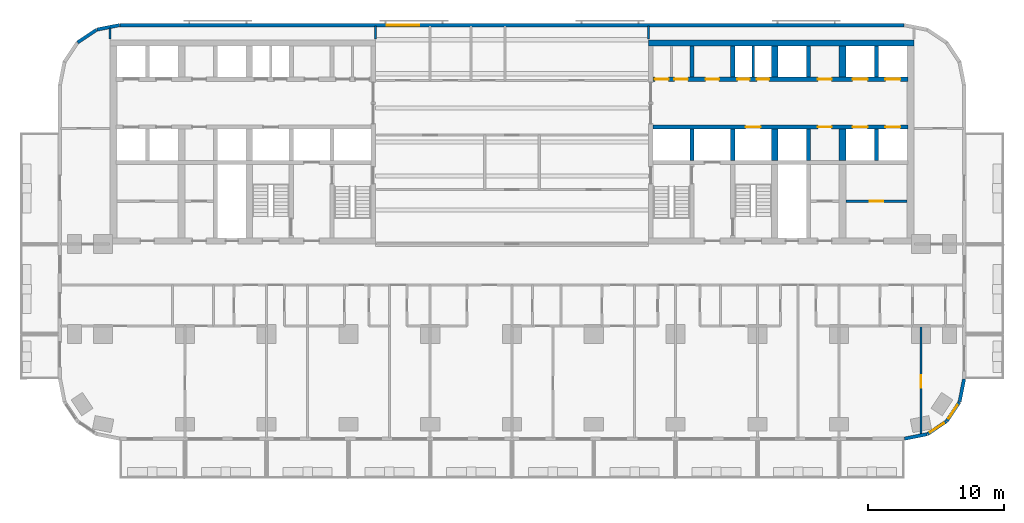
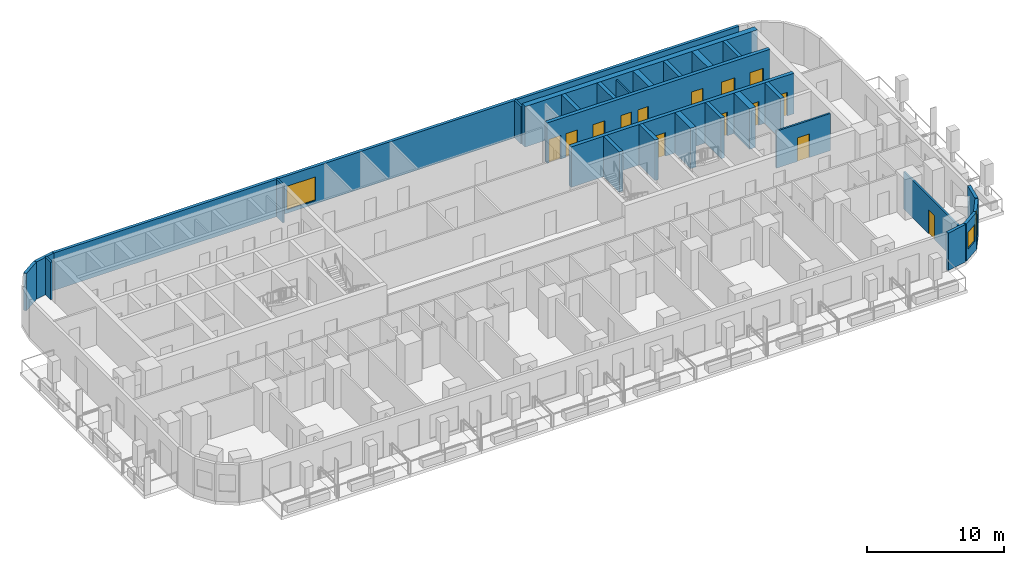
# One storey, part 8 of 15: 28 walls, 14 doors, 3 windows, 17 openings.
"""IFC4 building model written with IfcOpenShell, lengths in metres."""

from ifc_helpers import new_model, si_unit, direction, frame, frame_2d, origin, place, context, subcontext, project, spatial, rectangle, extrude, material, layer, layer_set, type_object, element, fill, save


model = new_model("IFC4")

# Units and contexts
model_context = context("Model", 3, precision=1e-05, world=origin(), true_north=direction((0.0, 1.0)))
body_context = subcontext(model_context, "Body", "Model", "MODEL_VIEW")
ifc_project = project(units=[si_unit("LENGTHUNIT", "METRE"), si_unit("AREAUNIT", "SQUARE_METRE"), si_unit("VOLUMEUNIT", "CUBIC_METRE"), si_unit("PLANEANGLEUNIT", "RADIAN"), si_unit("MASSUNIT", "GRAM", prefix="KILO")], contexts=[model_context])

# Site, building, storey
site_placement = place(None, origin())
site = spatial("IfcSite", under=ifc_project, at=site_placement, CompositionType="ELEMENT")
building_placement = place(site_placement, origin())
building = spatial("IfcBuilding", under=site, at=building_placement, Name="Torana Hotel and Residences", CompositionType="ELEMENT")
storey_placement = place(building_placement, frame((0.0, 0.0, 67.199951171875)))
storey = spatial("IfcBuildingStorey", under=building, at=storey_placement, Name="L16", CompositionType="ELEMENT", Elevation=67.199951171875)

# Wall, openings, doors
ifc_material_1 = material(Name="Concrete C80/95", Category="concrete")
ifc_layer_1 = layer(ifc_material_1, 0.300048828125)
ifc_layer_set_1 = layer_set([ifc_layer_1], Name="CORE WALL 300 C80/95")
wall_type_1 = type_object("IfcWallType", Name="CORE WALL 300 C80/95", PredefinedType="SHEAR", material=ifc_layer_set_1)
wall_1_placement = place(storey_placement, frame((10.35009765625, -2.89990234375, 0.0), z_axis=(0.0, 0.0, 1.0), x_axis=(1.0, 0.0, 0.0)))
wall_1 = element("IfcWall", 1, at=wall_1_placement, inside=storey, type_object=wall_type_1, Name="Core wall E row-N", PredefinedType="SHEAR", context=body_context, shape_type="SweptSolid", body=[
    extrude(rectangle(XDim=18.699951171875, YDim=0.300048828125, at=frame_2d((9.35009765625, 0.0))), origin(), (0.0, 0.0, 1.0), 3.60009765625),
])
opening_1_placement = place(wall_1_placement, frame((14.64990234375, 0.0, 0.0)))
opening_1 = element("IfcOpeningElement", 2, at=opening_1_placement, cuts=wall_1, Name="Opening LD", PredefinedType="OPENING", context=body_context, shape_type="SweptSolid", body=[
    extrude(rectangle(XDim=1.10009765625, YDim=2.10009765625, at=frame_2d((0.550048828125, 1.050048828125))), frame((0.0, 0.159912109375, 0.0), z_axis=(0.0, -1.0, 0.0), x_axis=(1.0, 0.0, 0.0)), (0.0, 0.0, 1.0), 0.320068359375),
])
opening_2_placement = place(wall_1_placement, frame((17.050048828125, 0.0, 0.0)))
opening_2 = element("IfcOpeningElement", 3, at=opening_2_placement, cuts=wall_1, Name="Opening LD", PredefinedType="OPENING", context=body_context, shape_type="SweptSolid", body=[
    extrude(rectangle(XDim=1.10009765625, YDim=2.10009765625, at=frame_2d((0.550048828125, 1.050048828125))), frame((0.0, 0.159912109375, 0.0), z_axis=(0.0, -1.0, 0.0), x_axis=(1.0, 0.0, 0.0)), (0.0, 0.0, 1.0), 0.320068359375),
])
opening_3_placement = place(wall_1_placement, frame((6.1875, 0.0, 0.0)))
opening_3 = element("IfcOpeningElement", 4, at=opening_3_placement, cuts=wall_1, Name="Opening L16-26", PredefinedType="OPENING", context=body_context, shape_type="SweptSolid", body=[
    extrude(rectangle(XDim=0.89990234375, YDim=2.10009765625, at=frame_2d((0.449951171875, 1.050048828125))), frame((0.0, 0.159912109375, 0.0), z_axis=(0.0, -1.0, 0.0), x_axis=(1.0, 0.0, 0.0)), (0.0, 0.0, 1.0), 0.320068359375),
])
opening_4_placement = place(wall_1_placement, frame((7.612548828125, 0.0, 0.0)))
opening_4 = element("IfcOpeningElement", 5, at=opening_4_placement, cuts=wall_1, Name="Opening L16-27", PredefinedType="OPENING", context=body_context, shape_type="SweptSolid", body=[
    extrude(rectangle(XDim=0.89990234375, YDim=2.10009765625, at=frame_2d((0.449951171875, 1.050048828125))), frame((0.0, 0.159912109375, 0.0), z_axis=(0.0, -1.0, 0.0), x_axis=(1.0, 0.0, 0.0)), (0.0, 0.0, 1.0), 0.320068359375),
])
opening_5_placement = place(wall_1_placement, frame((0.137451171875, 0.0, 0.0)))
opening_5 = element("IfcOpeningElement", 6, at=opening_5_placement, cuts=wall_1, Name="Opening L16-28", PredefinedType="OPENING", context=body_context, shape_type="SweptSolid", body=[
    extrude(rectangle(XDim=1.0, YDim=2.10009765625, at=frame_2d((0.5, 1.050048828125))), frame((0.0, 0.159912109375, 0.0), z_axis=(0.0, -1.0, 0.0), x_axis=(1.0, 0.0, 0.0)), (0.0, 0.0, 1.0), 0.320068359375),
])
opening_6_placement = place(wall_1_placement, frame((1.5625, 0.0, 0.0)))
opening_6 = element("IfcOpeningElement", 7, at=opening_6_placement, cuts=wall_1, Name="Opening L16-29", PredefinedType="OPENING", context=body_context, shape_type="SweptSolid", body=[
    extrude(rectangle(XDim=1.0, YDim=2.10009765625, at=frame_2d((0.5, 1.050048828125))), frame((0.0, 0.159912109375, 0.0), z_axis=(0.0, -1.0, 0.0), x_axis=(1.0, 0.0, 0.0)), (0.0, 0.0, 1.0), 0.320068359375),
])
opening_7_placement = place(wall_1_placement, frame((3.85009765625, 0.0, 0.0)))
opening_7 = element("IfcOpeningElement", 8, at=opening_7_placement, cuts=wall_1, Name="Opening L16-30", PredefinedType="OPENING", context=body_context, shape_type="SweptSolid", body=[
    extrude(rectangle(XDim=1.0, YDim=2.10009765625, at=frame_2d((0.5, 1.050048828125))), frame((0.0, 0.159912109375, 0.0), z_axis=(0.0, -1.0, 0.0), x_axis=(1.0, 0.0, 0.0)), (0.0, 0.0, 1.0), 0.320068359375),
])
opening_8_placement = place(wall_1_placement, frame((12.10009765625, 0.0, 0.0)))
opening_8 = element("IfcOpeningElement", 9, at=opening_8_placement, cuts=wall_1, Name="Opening L16-31", PredefinedType="OPENING", context=body_context, shape_type="SweptSolid", body=[
    extrude(rectangle(XDim=1.0, YDim=2.10009765625, at=frame_2d((0.5, 1.050048828125))), frame((0.0, 0.159912109375, 0.0), z_axis=(0.0, -1.0, 0.0), x_axis=(1.0, 0.0, 0.0)), (0.0, 0.0, 1.0), 0.320068359375),
])
ifc_material_2 = material(Name="Steel S235", Category="steel")
door_type_1 = type_object("IfcDoorType", Name="CORE ROOM FIRE DOOR D14 1000x2100", OperationType="SINGLE_SWING_LEFT", PredefinedType="DOOR", material=ifc_material_2)
door_1_placement = place(opening_5_placement, origin())
door_1 = element("IfcDoor", 10, at=door_1_placement, inside=storey, type_object=door_type_1, Name="N0A door L16", OperationType="SINGLE_SWING_RIGHT", OverallHeight=2.10009765625, OverallWidth=1.0, PredefinedType="DOOR", context=body_context, shape_type="SweptSolid", body=[
    extrude(rectangle(XDim=1.0, YDim=2.10009765625, at=frame_2d((0.5, 1.050048828125))), frame((0.0, 0.02490234375, 0.0), z_axis=(0.0, -1.0, 0.0), x_axis=(1.0, 0.0, 0.0)), (0.0, 0.0, 1.0), 0.050048828125),
])
fill(opening_5, door_1)
door_2_placement = place(opening_6_placement, origin())
door_2 = element("IfcDoor", 11, at=door_2_placement, inside=storey, type_object=door_type_1, Name="N0B door L16", OperationType="SINGLE_SWING_RIGHT", OverallHeight=2.10009765625, OverallWidth=1.0, PredefinedType="DOOR", context=body_context, shape_type="SweptSolid", body=[
    extrude(rectangle(XDim=1.0, YDim=2.10009765625, at=frame_2d((0.5, 1.050048828125))), frame((0.0, 0.02490234375, 0.0), z_axis=(0.0, -1.0, 0.0), x_axis=(1.0, 0.0, 0.0)), (0.0, 0.0, 1.0), 0.050048828125),
])
fill(opening_6, door_2)
door_3_placement = place(opening_7_placement, origin())
door_3 = element("IfcDoor", 12, at=door_3_placement, inside=storey, type_object=door_type_1, Name="N1 door L16", OperationType="SINGLE_SWING_RIGHT", OverallHeight=2.10009765625, OverallWidth=1.0, PredefinedType="DOOR", context=body_context, shape_type="SweptSolid", body=[
    extrude(rectangle(XDim=1.0, YDim=2.10009765625, at=frame_2d((0.5, 1.050048828125))), frame((0.0, 0.02490234375, 0.0), z_axis=(0.0, -1.0, 0.0), x_axis=(1.0, 0.0, 0.0)), (0.0, 0.0, 1.0), 0.050048828125),
])
fill(opening_7, door_3)
door_4_placement = place(opening_8_placement, origin())
door_4 = element("IfcDoor", 13, at=door_4_placement, inside=storey, type_object=door_type_1, Name="Free-M3 door L16", OperationType="SINGLE_SWING_RIGHT", OverallHeight=2.10009765625, OverallWidth=1.0, PredefinedType="DOOR", context=body_context, shape_type="SweptSolid", body=[
    extrude(rectangle(XDim=1.0, YDim=2.10009765625, at=frame_2d((0.5, 1.050048828125))), frame((0.0, 0.02490234375, 0.0), z_axis=(0.0, -1.0, 0.0), x_axis=(1.0, 0.0, 0.0)), (0.0, 0.0, 1.0), 0.050048828125),
])
fill(opening_8, door_4)
ifc_material_3 = material(Name="Stainless steel 316", Category="steel")
door_type_2 = type_object("IfcDoorType", Name="LIFT LANDING DOOR LD 1100x2100", OperationType="DOUBLE_DOOR_SLIDING", PredefinedType="USERDEFINED", material=ifc_material_3)
door_5_placement = place(opening_1_placement, origin())
door_5 = element("IfcDoor", 14, at=door_5_placement, inside=storey, type_object=door_type_2, Name="Lift landing door L5 L16", ObjectType="LIFT LANDING DOOR", OperationType="DOUBLE_DOOR_SLIDING", OverallHeight=2.10009765625, OverallWidth=1.10009765625, PredefinedType="USERDEFINED", context=body_context, shape_type="SweptSolid", body=[
    extrude(rectangle(XDim=1.10009765625, YDim=2.10009765625, at=frame_2d((0.550048828125, 1.050048828125))), frame((0.0, 0.02490234375, 0.0), z_axis=(0.0, -1.0, 0.0), x_axis=(1.0, 0.0, 0.0)), (0.0, 0.0, 1.0), 0.050048828125),
])
fill(opening_1, door_5)
door_6_placement = place(opening_2_placement, origin())
door_6 = element("IfcDoor", 15, at=door_6_placement, inside=storey, type_object=door_type_2, Name="Lift landing door L6 L16", ObjectType="LIFT LANDING DOOR", OperationType="DOUBLE_DOOR_SLIDING", OverallHeight=2.10009765625, OverallWidth=1.10009765625, PredefinedType="USERDEFINED", context=body_context, shape_type="SweptSolid", body=[
    extrude(rectangle(XDim=1.10009765625, YDim=2.10009765625, at=frame_2d((0.550048828125, 1.050048828125))), frame((0.0, 0.02490234375, 0.0), z_axis=(0.0, -1.0, 0.0), x_axis=(1.0, 0.0, 0.0)), (0.0, 0.0, 1.0), 0.050048828125),
])
fill(opening_2, door_6)
ifc_material_4 = material(Name="Steel S235", Category="steel")
door_type_3 = type_object("IfcDoorType", Name="RISER ACCESS DOOR D5 900x2100", OperationType="SINGLE_SWING_LEFT", PredefinedType="DOOR", material=ifc_material_4)
door_7_placement = place(opening_3_placement, origin())
door_7 = element("IfcDoor", 16, at=door_7_placement, inside=storey, type_object=door_type_3, Name="N2A door L16", OperationType="SINGLE_SWING_RIGHT", OverallHeight=2.10009765625, OverallWidth=0.89990234375, PredefinedType="DOOR", context=body_context, shape_type="SweptSolid", body=[
    extrude(rectangle(XDim=0.89990234375, YDim=2.10009765625, at=frame_2d((0.449951171875, 1.050048828125))), frame((0.0, 0.02490234375, 0.0), z_axis=(0.0, -1.0, 0.0), x_axis=(1.0, 0.0, 0.0)), (0.0, 0.0, 1.0), 0.050048828125),
])
fill(opening_3, door_7)
door_8_placement = place(opening_4_placement, origin())
door_8 = element("IfcDoor", 17, at=door_8_placement, inside=storey, type_object=door_type_3, Name="N2B door L16", OperationType="SINGLE_SWING_RIGHT", OverallHeight=2.10009765625, OverallWidth=0.89990234375, PredefinedType="DOOR", context=body_context, shape_type="SweptSolid", body=[
    extrude(rectangle(XDim=0.89990234375, YDim=2.10009765625, at=frame_2d((0.449951171875, 1.050048828125))), frame((0.0, 0.02490234375, 0.0), z_axis=(0.0, -1.0, 0.0), x_axis=(1.0, 0.0, 0.0)), (0.0, 0.0, 1.0), 0.050048828125),
])
fill(opening_4, door_8)

wall_2_placement = place(storey_placement, frame((10.35009765625, -6.39990234375, 0.0), z_axis=(0.0, 0.0, 1.0), x_axis=(1.0, 0.0, 0.0)))
wall_2 = element("IfcWall", 18, at=wall_2_placement, inside=storey, type_object=wall_type_1, Name="Core wall E row-S", PredefinedType="SHEAR", context=body_context, shape_type="SweptSolid", body=[
    extrude(rectangle(XDim=18.699951171875, YDim=0.300048828125, at=frame_2d((9.35009765625, 0.0))), origin(), (0.0, 0.0, 1.0), 3.60009765625),
])
opening_9_placement = place(wall_2_placement, frame((14.64990234375, 0.0, 0.0)))
opening_9 = element("IfcOpeningElement", 19, at=opening_9_placement, cuts=wall_2, Name="Opening LD", PredefinedType="OPENING", context=body_context, shape_type="SweptSolid", body=[
    extrude(rectangle(XDim=1.10009765625, YDim=2.10009765625, at=frame_2d((0.550048828125, 1.050048828125))), frame((0.0, 0.159912109375, 0.0), z_axis=(0.0, -1.0, 0.0), x_axis=(1.0, 0.0, 0.0)), (0.0, 0.0, 1.0), 0.320068359375),
])
opening_10_placement = place(wall_2_placement, frame((17.050048828125, 0.0, 0.0)))
opening_10 = element("IfcOpeningElement", 20, at=opening_10_placement, cuts=wall_2, Name="Opening LD", PredefinedType="OPENING", context=body_context, shape_type="SweptSolid", body=[
    extrude(rectangle(XDim=1.10009765625, YDim=2.10009765625, at=frame_2d((0.550048828125, 1.050048828125))), frame((0.0, 0.159912109375, 0.0), z_axis=(0.0, -1.0, 0.0), x_axis=(1.0, 0.0, 0.0)), (0.0, 0.0, 1.0), 0.320068359375),
])
opening_11_placement = place(wall_2_placement, frame((6.800048828125, 0.0, 0.0)))
opening_11 = element("IfcOpeningElement", 21, at=opening_11_placement, cuts=wall_2, Name="Opening LD", PredefinedType="OPENING", context=body_context, shape_type="SweptSolid", body=[
    extrude(rectangle(XDim=1.10009765625, YDim=2.10009765625, at=frame_2d((0.550048828125, 1.050048828125))), frame((0.0, 0.159912109375, 0.0), z_axis=(0.0, -1.0, 0.0), x_axis=(1.0, 0.0, 0.0)), (0.0, 0.0, 1.0), 0.320068359375),
])
opening_12_placement = place(wall_2_placement, frame((12.10009765625, 0.0, 0.0)))
opening_12 = element("IfcOpeningElement", 22, at=opening_12_placement, cuts=wall_2, Name="Opening L16-32", PredefinedType="OPENING", context=body_context, shape_type="SweptSolid", body=[
    extrude(rectangle(XDim=1.0, YDim=2.10009765625, at=frame_2d((0.5, 1.050048828125))), frame((0.0, 0.159912109375, 0.0), z_axis=(0.0, -1.0, 0.0), x_axis=(1.0, 0.0, 0.0)), (0.0, 0.0, 1.0), 0.320068359375),
])
door_9_placement = place(opening_12_placement, frame((0.5, 0.0, 0.0), z_axis=(0.0, 0.0, 1.0), x_axis=(-1.0, 0.0, 0.0)))
door_9 = element("IfcDoor", 23, at=door_9_placement, inside=storey, type_object=door_type_1, Name="Free-M4 door L16", OperationType="SINGLE_SWING_LEFT", OverallHeight=2.10009765625, OverallWidth=1.0, PredefinedType="DOOR", context=body_context, shape_type="SweptSolid", body=[
    extrude(rectangle(XDim=1.0, YDim=2.10009765625, at=frame_2d((0.0, 1.050048828125))), frame((0.0, -0.02490234375, 0.0), z_axis=(0.0, 1.0, 0.0), x_axis=(-1.0, 0.0, 0.0)), (0.0, 0.0, 1.0), 0.050048828125),
])
fill(opening_12, door_9)
door_10_placement = place(opening_9_placement, origin())
door_10 = element("IfcDoor", 24, at=door_10_placement, inside=storey, type_object=door_type_2, Name="Lift landing door L7 L16", ObjectType="LIFT LANDING DOOR", OperationType="DOUBLE_DOOR_SLIDING", OverallHeight=2.10009765625, OverallWidth=1.10009765625, PredefinedType="USERDEFINED", context=body_context, shape_type="SweptSolid", body=[
    extrude(rectangle(XDim=1.10009765625, YDim=2.10009765625, at=frame_2d((0.550048828125, 1.050048828125))), frame((0.0, 0.02490234375, 0.0), z_axis=(0.0, -1.0, 0.0), x_axis=(1.0, 0.0, 0.0)), (0.0, 0.0, 1.0), 0.050048828125),
])
fill(opening_9, door_10)
door_11_placement = place(opening_10_placement, origin())
door_11 = element("IfcDoor", 25, at=door_11_placement, inside=storey, type_object=door_type_2, Name="Lift landing door L8 L16", ObjectType="LIFT LANDING DOOR", OperationType="DOUBLE_DOOR_SLIDING", OverallHeight=2.10009765625, OverallWidth=1.10009765625, PredefinedType="USERDEFINED", context=body_context, shape_type="SweptSolid", body=[
    extrude(rectangle(XDim=1.10009765625, YDim=2.10009765625, at=frame_2d((0.550048828125, 1.050048828125))), frame((0.0, 0.02490234375, 0.0), z_axis=(0.0, -1.0, 0.0), x_axis=(1.0, 0.0, 0.0)), (0.0, 0.0, 1.0), 0.050048828125),
])
fill(opening_10, door_11)
door_12_placement = place(opening_11_placement, origin())
door_12 = element("IfcDoor", 26, at=door_12_placement, inside=storey, type_object=door_type_2, Name="Lift landing door SV2 L16", ObjectType="LIFT LANDING DOOR", OperationType="DOUBLE_DOOR_SLIDING", OverallHeight=2.10009765625, OverallWidth=1.10009765625, PredefinedType="USERDEFINED", context=body_context, shape_type="SweptSolid", body=[
    extrude(rectangle(XDim=1.10009765625, YDim=2.10009765625, at=frame_2d((0.550048828125, 1.050048828125))), frame((0.0, 0.02490234375, 0.0), z_axis=(0.0, -1.0, 0.0), x_axis=(1.0, 0.0, 0.0)), (0.0, 0.0, 1.0), 0.050048828125),
])
fill(opening_11, door_12)

# Walls
for number, where, z_axis, x_axis, name in (
    (27, (13.199951171875, -2.75, 0.0), (0.0, 0.0, 1.0), (0.0, 1.0, 0.0), "Core wall E x3.05-N"),
    (28, (13.199951171875, -8.85009765625, 0.0), (0.0, 0.0, 1.0), (0.0, 1.0, 0.0), "Core wall E x3.05-S"),
    (29, (16.199951171875, -2.75, 0.0), (0.0, 0.0, 1.0), (0.0, 1.0, 0.0), "Core wall E x6.05-N"),
    (30, (16.199951171875, -8.85009765625, 0.0), (0.0, 0.0, 1.0), (0.0, 1.0, 0.0), "Core wall E x6.05-S"),
    (31, (21.75, -2.75, 0.0), (0.0, 0.0, 1.0), (0.0, 1.0, 0.0), "Core wall E mm-N"),
    (32, (21.75, -8.85009765625, 0.0), (0.0, 0.0, 1.0), (0.0, 1.0, 0.0), "Core wall E mm-S"),
    (33, (26.75, -2.75, 0.0), (0.0, 0.0, 1.0), (0.0, 1.0, 0.0), "Core wall E ll-N"),
    (34, (26.75, -8.85009765625, 0.0), (0.0, 0.0, 1.0), (0.0, 1.0, 0.0), "Core wall E ll-S"),
):
    element("IfcWall", number, at=place(storey_placement, frame(where, z_axis=z_axis, x_axis=x_axis)), inside=storey, type_object=wall_type_1, Name=name, PredefinedType="SHEAR", context=body_context, shape_type="SweptSolid", body=[
        extrude(rectangle(XDim=2.300048828125, YDim=0.300048828125, at=frame_2d((1.14990234375, 0.0))), origin(), (0.0, 0.0, 1.0), 3.60009765625),
    ])
ifc_material_5 = material(Name="Concrete C80/95", Category="concrete")
ifc_layer_2 = layer(ifc_material_5, 0.449951171875)
ifc_layer_set_2 = layer_set([ifc_layer_2], Name="CORE WALL 450 C80/95")
wall_type_2 = type_object("IfcWallType", Name="CORE WALL 450 C80/95", PredefinedType="SHEAR", material=ifc_layer_set_2)
wall_3_placement = place(storey_placement, frame((10.0, -0.22509765625, 0.0), z_axis=(0.0, 0.0, 1.0), x_axis=(1.0, 0.0, 0.0)))
element("IfcWall", 35, at=wall_3_placement, inside=storey, type_object=wall_type_2, Name="Core wall E rear", PredefinedType="SHEAR", context=body_context, shape_type="SweptSolid", body=[
    extrude(rectangle(XDim=19.5, YDim=0.449951171875, at=frame_2d((9.75, 0.0))), origin(), (0.0, 0.0, 1.0), 3.60009765625),
])
for number, where, z_axis, x_axis, name in (
    (36, (19.27490234375, -2.75, 0.0), (0.0, 0.0, 1.0), (0.0, 1.0, 0.0), "Core wall E hm-N"),
    (37, (19.27490234375, -8.85009765625, 0.0), (0.0, 0.0, 1.0), (0.0, 1.0, 0.0), "Core wall E hm-S"),
):
    element("IfcWall", number, at=place(storey_placement, frame(where, z_axis=z_axis, x_axis=x_axis)), inside=storey, type_object=wall_type_2, Name=name, PredefinedType="SHEAR", context=body_context, shape_type="SweptSolid", body=[
        extrude(rectangle(XDim=2.300048828125, YDim=0.449951171875, at=frame_2d((1.14990234375, 0.0))), origin(), (0.0, 0.0, 1.0), 3.60009765625),
    ])
ifc_material_6 = material(Name="Concrete C80/95", Category="concrete")
ifc_layer_3 = layer(ifc_material_6, 0.5)
ifc_layer_set_3 = layer_set([ifc_layer_3], Name="CORE WALL 500 C80/95")
wall_type_3 = type_object("IfcWallType", Name="CORE WALL 500 C80/95", PredefinedType="SHEAR", material=ifc_layer_set_3)
for number, where, z_axis, x_axis, name in (
    (38, (24.25, -2.75, 0.0), (0.0, 0.0, 1.0), (0.0, 1.0, 0.0), "Core wall E ml-N"),
    (39, (24.25, -8.85009765625, 0.0), (0.0, 0.0, 1.0), (0.0, 1.0, 0.0), "Core wall E ml-S"),
):
    element("IfcWall", number, at=place(storey_placement, frame(where, z_axis=z_axis, x_axis=x_axis)), inside=storey, type_object=wall_type_3, Name=name, PredefinedType="SHEAR", context=body_context, shape_type="SweptSolid", body=[
        extrude(rectangle(XDim=2.300048828125, YDim=0.5, at=frame_2d((1.14990234375, 0.0))), origin(), (0.0, 0.0, 1.0), 3.60009765625),
    ])
ifc_material_7 = material(Name="Black aluminium composite panel", Category="aluminium")
ifc_layer_4 = layer(ifc_material_7, 0.00390625, Name="Cladding", Category="cladding")
ifc_material_8 = material(Name="Ventilated air cavity")
ifc_layer_5 = layer(ifc_material_8, 0.0400390625, Name="Ventilated cavity", Category="cavity")
ifc_material_9 = material(Name="Mineral wool insulation")
ifc_layer_6 = layer(ifc_material_9, 0.090087890625, Name="Insulation", Category="insulation")
ifc_material_10 = material(Name="Steel S280GD", Category="steel")
ifc_layer_7 = layer(ifc_material_10, 0.092041015625, Name="Steel stud frame", Category="structure")
ifc_material_11 = material(Name="Fire rated plasterboard")
ifc_layer_8 = layer(ifc_material_11, 0.011962890625, Name="Inner board", Category="finish")
ifc_layer_9 = layer(ifc_material_11, 0.011962890625, Name="Second board", Category="finish")
ifc_layer_set_4 = layer_set([ifc_layer_4, ifc_layer_5, ifc_layer_6, ifc_layer_7, ifc_layer_8, ifc_layer_9], Name="EW1 EXTERNAL WALL BLACK METAL CLAD 250")
wall_type_4 = type_object("IfcWallType", Name="EW1 EXTERNAL WALL BLACK METAL CLAD 250", PredefinedType="SOLIDWALL", material=ifc_layer_set_4)
wall_4_placement = place(storey_placement, frame((-28.7998046875, 1.072509765625, 0.0), z_axis=(0.0, 0.0, 1.0), x_axis=(-0.980803419081, -0.194999110559, 0.0)))
element("IfcWall", 40, at=wall_4_placement, inside=storey, type_object=wall_type_4, Name="External wall L16 e0.5", PredefinedType="SOLIDWALL", context=body_context, shape_type="SweptSolid", body=[
    extrude(rectangle(XDim=1.681396484375, YDim=0.25, at=frame_2d((0.8408203125, 0.0))), origin(), (0.0, 0.0, 1.0), 3.320068359375),
])
wall_5_placement = place(storey_placement, frame((-30.493896484375, 0.725830078125, 0.0), z_axis=(0.0, 0.0, 1.0), x_axis=(-0.831482937015, -0.55555029066, 0.0)))
element("IfcWall", 41, at=wall_5_placement, inside=storey, type_object=wall_type_4, Name="External wall L16 e0.6", PredefinedType="SOLIDWALL", context=body_context, shape_type="SweptSolid", body=[
    extrude(rectangle(XDim=1.65625, YDim=0.25, at=frame_2d((0.828125, 0.0))), origin(), (0.0, 0.0, 1.0), 3.320068359375),
])
wall_6_placement = place(storey_placement, frame((28.7998046875, -29.272705078125, 0.0), z_axis=(0.0, 0.0, 1.0), x_axis=(0.980775640221, 0.19513878023, 0.0)))
element("IfcWall", 42, at=wall_6_placement, inside=storey, type_object=wall_type_4, Name="External wall L16 e0.15", PredefinedType="SOLIDWALL", context=body_context, shape_type="SweptSolid", body=[
    extrude(rectangle(XDim=1.681396484375, YDim=0.25, at=frame_2d((0.8408203125, 0.0))), origin(), (0.0, 0.0, 1.0), 3.320068359375),
])

# Wall, opening, window
wall_7_placement = place(storey_placement, frame((30.493896484375, -28.92578125, 0.0), z_axis=(0.0, 0.0, 1.0), x_axis=(0.831482937015, 0.55555029066, 0.0)))
wall_7 = element("IfcWall", 43, at=wall_7_placement, inside=storey, type_object=wall_type_4, Name="External wall L16 e0.16", PredefinedType="SOLIDWALL", context=body_context, shape_type="SweptSolid", body=[
    extrude(rectangle(XDim=1.65625, YDim=0.25, at=frame_2d((0.828125, 0.0))), origin(), (0.0, 0.0, 1.0), 3.320068359375),
])
opening_13_placement = place(wall_7_placement, frame((0.228271484375, 0.0, 0.89990234375)))
opening_13 = element("IfcOpeningElement", 44, at=opening_13_placement, cuts=wall_7, Name="Opening W5", PredefinedType="OPENING", context=body_context, shape_type="SweptSolid", body=[
    extrude(rectangle(XDim=1.199951171875, YDim=1.5, at=frame_2d((0.60009765625, 0.75))), frame((0.0, 0.135009765625, 0.0), z_axis=(0.0, -1.0, 0.0), x_axis=(1.0, 0.0, 0.0)), (0.0, 0.0, 1.0), 0.27001953125),
])
ifc_material_12 = material(Name="Dark glass in black aluminium frame", Category="aluminium")
window_type_1 = type_object("IfcWindowType", Name="W5 CORNER FACET WINDOW 1200x1500", PartitioningType="SINGLE_PANEL", PredefinedType="WINDOW", material=ifc_material_12)
window_1_placement = place(opening_13_placement, origin())
window_1 = element("IfcWindow", 45, at=window_1_placement, inside=storey, type_object=window_type_1, Name="Window L16 e0.16", OverallHeight=1.5, OverallWidth=1.199951171875, PartitioningType="SINGLE_PANEL", PredefinedType="WINDOW", context=body_context, shape_type="SweptSolid", body=[
    extrude(rectangle(XDim=1.199951171875, YDim=1.5, at=frame_2d((0.60009765625, 0.75))), frame((0.0, 0.030029296875, 0.0), z_axis=(0.0, -1.0, 0.0), x_axis=(1.0, 0.0, 0.0)), (0.0, 0.0, 1.0), 0.06005859375),
])
fill(opening_13, window_1)

wall_8_placement = place(storey_placement, frame((31.90576171875, -27.97119140625, 0.0), z_axis=(0.0, 0.0, 1.0), x_axis=(0.55555029066, 0.831482937015, 0.0)))
wall_8 = element("IfcWall", 46, at=wall_8_placement, inside=storey, type_object=wall_type_4, Name="External wall L16 e0.17", PredefinedType="SOLIDWALL", context=body_context, shape_type="SweptSolid", body=[
    extrude(rectangle(XDim=1.65625, YDim=0.25, at=frame_2d((0.828125, 0.0))), origin(), (0.0, 0.0, 1.0), 3.320068359375),
])
opening_14_placement = place(wall_8_placement, frame((0.228271484375, 0.0, 0.89990234375)))
opening_14 = element("IfcOpeningElement", 47, at=opening_14_placement, cuts=wall_8, Name="Opening W5", PredefinedType="OPENING", context=body_context, shape_type="SweptSolid", body=[
    extrude(rectangle(XDim=1.199951171875, YDim=1.5, at=frame_2d((0.60009765625, 0.75))), frame((0.0, 0.135009765625, 0.0), z_axis=(0.0, -1.0, 0.0), x_axis=(1.0, 0.0, 0.0)), (0.0, 0.0, 1.0), 0.27001953125),
])
window_2_placement = place(opening_14_placement, origin())
window_2 = element("IfcWindow", 48, at=window_2_placement, inside=storey, type_object=window_type_1, Name="Window L16 e0.17", OverallHeight=1.5, OverallWidth=1.199951171875, PartitioningType="SINGLE_PANEL", PredefinedType="WINDOW", context=body_context, shape_type="SweptSolid", body=[
    extrude(rectangle(XDim=1.199951171875, YDim=1.5, at=frame_2d((0.60009765625, 0.75))), frame((0.0, 0.030029296875, 0.0), z_axis=(0.0, -1.0, 0.0), x_axis=(1.0, 0.0, 0.0)), (0.0, 0.0, 1.0), 0.06005859375),
])
fill(opening_14, window_2)

# Wall
wall_9_placement = place(storey_placement, frame((32.844482421875, -26.548828125, 0.0), z_axis=(0.0, 0.0, 1.0), x_axis=(0.195166572128, 0.980770110232, 0.0)))
element("IfcWall", 49, at=wall_9_placement, inside=storey, type_object=wall_type_4, Name="External wall L16 e0.18", PredefinedType="SOLIDWALL", context=body_context, shape_type="SweptSolid", body=[
    extrude(rectangle(XDim=1.68115234375, YDim=0.25, at=frame_2d((0.840576171875, 0.0))), origin(), (0.0, 0.0, 1.0), 3.320068359375),
])

# Wall, opening, window
ifc_material_13 = material(Name="Concrete C40/50 precast", Category="concrete")
ifc_layer_10 = layer(ifc_material_13, 0.10009765625, Name="Perforated block", Category="cladding")
ifc_material_14 = material(Name="Air cavity")
ifc_layer_11 = layer(ifc_material_14, 0.030029296875, Name="Cavity", Category="cavity")
ifc_material_15 = material(Name="Concrete C40/50", Category="concrete")
ifc_layer_12 = layer(ifc_material_15, 0.10009765625, Name="Wall", Category="structure")
ifc_material_16 = material(Name="Plaster and paint")
ifc_layer_13 = layer(ifc_material_16, 0.02001953125, Name="Inner finish", Category="finish")
ifc_layer_set_5 = layer_set([ifc_layer_10, ifc_layer_11, ifc_layer_12, ifc_layer_13], Name="EW2 PERFORATED BLOCK SCREEN WALL 250")
wall_type_5 = type_object("IfcWallType", Name="EW2 PERFORATED BLOCK SCREEN WALL 250", PredefinedType="SOLIDWALL", material=ifc_layer_set_5)
wall_10_placement = place(storey_placement, frame((28.775390625, 1.074951171875, 0.0), z_axis=(0.0, 0.0, 1.0), x_axis=(-1.0, 0.0, 0.0)))
wall_10 = element("IfcWall", 50, at=wall_10_placement, inside=storey, type_object=wall_type_5, Name="External wall L16 e0.4", PredefinedType="SOLIDWALL", context=body_context, shape_type="SweptSolid", body=[
    extrude(rectangle(XDim=57.55078125, YDim=0.25, at=frame_2d((28.775390625, 0.0))), origin(), (0.0, 0.0, 1.0), 3.320068359375),
])
opening_15_placement = place(wall_10_placement, frame((35.575439453125, 0.0, 0.300048828125)))
opening_15 = element("IfcOpeningElement", 51, at=opening_15_placement, cuts=wall_10, Name="Opening W1", PredefinedType="OPENING", context=body_context, shape_type="SweptSolid", body=[
    extrude(rectangle(XDim=2.39990234375, YDim=2.10009765625, at=frame_2d((1.199951171875, 1.050048828125))), frame((0.0, 0.135009765625, 0.0), z_axis=(0.0, -1.0, 0.0), x_axis=(1.0, 0.0, 0.0)), (0.0, 0.0, 1.0), 0.27001953125),
])
ifc_material_17 = material(Name="Dark glass in black aluminium frame", Category="aluminium")
window_type_2 = type_object("IfcWindowType", Name="W1 HOTEL ROOM WINDOW 2400x2100", PartitioningType="SINGLE_PANEL", PredefinedType="WINDOW", material=ifc_material_17)
window_3_placement = place(opening_15_placement, origin())
window_3 = element("IfcWindow", 52, at=window_3_placement, inside=storey, type_object=window_type_2, Name="Window L16", OverallHeight=2.10009765625, OverallWidth=2.39990234375, PartitioningType="SINGLE_PANEL", PredefinedType="WINDOW", context=body_context, shape_type="SweptSolid", body=[
    extrude(rectangle(XDim=2.39990234375, YDim=2.10009765625, at=frame_2d((1.199951171875, 1.050048828125))), frame((0.0, 0.030029296875, 0.0), z_axis=(0.0, -1.0, 0.0), x_axis=(1.0, 0.0, 0.0)), (0.0, 0.0, 1.0), 0.06005859375),
])
fill(opening_15, window_3)

# Wall
ifc_material_18 = material(Name="Gypsum plaster")
ifc_layer_14 = layer(ifc_material_18, 0.014892578125, Name="Plaster", Category="finish")
ifc_material_19 = material(Name="Concrete blockwork", Category="masonry")
ifc_layer_15 = layer(ifc_material_19, 0.1201171875, Name="Blockwork", Category="structure")
ifc_layer_16 = layer(ifc_material_18, 0.014892578125, Name="Plaster", Category="finish")
ifc_layer_set_6 = layer_set([ifc_layer_14, ifc_layer_15, ifc_layer_16], Name="FIRE PARTITION 150 BLOCKWORK")
wall_type_6 = type_object("IfcWallType", Name="FIRE PARTITION 150 BLOCKWORK", PredefinedType="PARTITIONING", material=ifc_layer_set_6)
wall_11_placement = place(storey_placement, frame((17.699951171875, -2.75, 0.0), z_axis=(0.0, 0.0, 1.0), x_axis=(0.0, 1.0, 0.0)))
element("IfcWall", 53, at=wall_11_placement, inside=storey, type_object=wall_type_6, Name="Core partition L16", PredefinedType="PARTITIONING", context=body_context, shape_type="SweptSolid", body=[
    extrude(rectangle(XDim=2.300048828125, YDim=0.14990234375, at=frame_2d((1.14990234375, 0.0))), origin(), (0.0, 0.0, 1.0), 3.300048828125),
])

# Wall, opening, door
wall_12_placement = place(storey_placement, frame((24.5, -11.85009765625, 0.0), z_axis=(0.0, 0.0, 1.0), x_axis=(1.0, 0.0, 0.0)))
wall_12 = element("IfcWall", 54, at=wall_12_placement, inside=storey, type_object=wall_type_6, Name="Core partition L16", PredefinedType="PARTITIONING", context=body_context, shape_type="SweptSolid", body=[
    extrude(rectangle(XDim=4.5, YDim=0.14990234375, at=frame_2d((2.25, 0.0))), origin(), (0.0, 0.0, 1.0), 3.300048828125),
])
opening_16_placement = place(wall_12_placement, frame((1.75, 0.0, 0.0)))
opening_16 = element("IfcOpeningElement", 55, at=opening_16_placement, cuts=wall_12, Name="Opening L16-38", PredefinedType="OPENING", context=body_context, shape_type="SweptSolid", body=[
    extrude(rectangle(XDim=1.0, YDim=2.10009765625, at=frame_2d((0.5, 1.050048828125))), frame((0.0, 0.0849609375, 0.0), z_axis=(0.0, -1.0, 0.0), x_axis=(1.0, 0.0, 0.0)), (0.0, 0.0, 1.0), 0.169921875),
])
door_13_placement = place(opening_16_placement, origin())
door_13 = element("IfcDoor", 56, at=door_13_placement, inside=storey, type_object=door_type_1, Name="Plant room door L16", OperationType="SINGLE_SWING_RIGHT", OverallHeight=2.10009765625, OverallWidth=1.0, PredefinedType="DOOR", context=body_context, shape_type="SweptSolid", body=[
    extrude(rectangle(XDim=1.0, YDim=2.10009765625, at=frame_2d((0.5, 1.050048828125))), frame((0.0, 0.02490234375, 0.0), z_axis=(0.0, -1.0, 0.0), x_axis=(1.0, 0.0, 0.0)), (0.0, 0.0, 1.0), 0.050048828125),
])
fill(opening_16, door_13)

ifc_material_20 = material(Name="Gypsum plasterboard")
ifc_layer_17 = layer(ifc_material_20, 0.012451171875, Name="Plasterboard", Category="finish")
ifc_layer_18 = layer(ifc_material_20, 0.012451171875, Name="Plasterboard", Category="finish")
ifc_layer_19 = layer(ifc_material_10, 0.10009765625, Name="Steel studs with mineral wool", Category="insulation")
ifc_layer_20 = layer(ifc_material_20, 0.012451171875, Name="Plasterboard", Category="finish")
ifc_layer_21 = layer(ifc_material_20, 0.012451171875, Name="Plasterboard", Category="finish")
ifc_layer_set_7 = layer_set([ifc_layer_17, ifc_layer_18, ifc_layer_19, ifc_layer_20, ifc_layer_21], Name="PARTITION 150 PLASTERBOARD")
wall_type_7 = type_object("IfcWallType", Name="PARTITION 150 PLASTERBOARD", PredefinedType="PARTITIONING", material=ifc_layer_set_7)
wall_13_placement = place(storey_placement, frame((30.0, -28.977783203125, 0.0), z_axis=(0.0, 0.0, 1.0), x_axis=(0.0, 1.0, 0.0)))
wall_13 = element("IfcWall", 57, at=wall_13_placement, inside=storey, type_object=wall_type_7, Name="Partition L16", PredefinedType="PARTITIONING", context=body_context, shape_type="SweptSolid", body=[
    extrude(rectangle(XDim=7.977783203125, YDim=0.14990234375, at=frame_2d((3.98876953125, 0.0))), origin(), (0.0, 0.0, 1.0), 3.320068359375),
])
opening_17_placement = place(wall_13_placement, frame((3.457763671875, 0.0, 0.0)))
opening_17 = element("IfcOpeningElement", 58, at=opening_17_placement, cuts=wall_13, Name="Opening L16-85", PredefinedType="OPENING", context=body_context, shape_type="SweptSolid", body=[
    extrude(rectangle(XDim=0.89990234375, YDim=2.10009765625, at=frame_2d((0.449951171875, 1.050048828125))), frame((0.0, 0.0849609375, 0.0), z_axis=(0.0, -1.0, 0.0), x_axis=(1.0, 0.0, 0.0)), (0.0, 0.0, 1.0), 0.169921875),
])
ifc_material_21 = material(Name="Timber door, oiled ash", Category="wood")
door_type_4 = type_object("IfcDoorType", Name="ROOM DOOR D7 900x2100", OperationType="SINGLE_SWING_LEFT", PredefinedType="DOOR", material=ifc_material_21)
door_14_placement = place(opening_17_placement, origin())
door_14 = element("IfcDoor", 59, at=door_14_placement, inside=storey, type_object=door_type_4, Name="Door L16", OperationType="SINGLE_SWING_RIGHT", OverallHeight=2.10009765625, OverallWidth=0.89990234375, PredefinedType="DOOR", context=body_context, shape_type="SweptSolid", body=[
    extrude(rectangle(XDim=0.89990234375, YDim=2.10009765625, at=frame_2d((0.449951171875, 1.050048828125))), frame((0.0, 0.02490234375, 0.0), z_axis=(0.0, -1.0, 0.0), x_axis=(1.0, 0.0, 0.0)), (0.0, 0.0, 1.0), 0.050048828125),
])
fill(opening_17, door_14)

# Walls
for number, where, z_axis, x_axis, name in (
    (60, (10.0, 0.050048828125, 0.0), (0.0, 0.0, 1.0), (0.0, 1.0, 0.0), "Partition L16"),
    (61, (-10.0, 0.050048828125, 0.0), (0.0, 0.0, 1.0), (0.0, 1.0, 0.0), "Partition L16"),
):
    element("IfcWall", number, at=place(storey_placement, frame(where, z_axis=z_axis, x_axis=x_axis)), inside=storey, type_object=wall_type_7, Name=name, PredefinedType="PARTITIONING", context=body_context, shape_type="SweptSolid", body=[
        extrude(rectangle(XDim=0.969970703125, YDim=0.14990234375, at=frame_2d((0.48486328125, 0.0))), origin(), (0.0, 0.0, 1.0), 3.320068359375),
    ])
wall_14_placement = place(storey_placement, frame((-29.5, 0.050048828125, 0.0), z_axis=(0.0, 0.0, 1.0), x_axis=(0.0, 1.0, 0.0)))
element("IfcWall", 62, at=wall_14_placement, inside=storey, type_object=wall_type_7, Name="Partition L16", PredefinedType="PARTITIONING", context=body_context, shape_type="SweptSolid", body=[
    extrude(rectangle(XDim=0.8271484375, YDim=0.14990234375, at=frame_2d((0.41357421875, 0.0))), origin(), (0.0, 0.0, 1.0), 3.320068359375),
])

save(model, "model.ifc")
